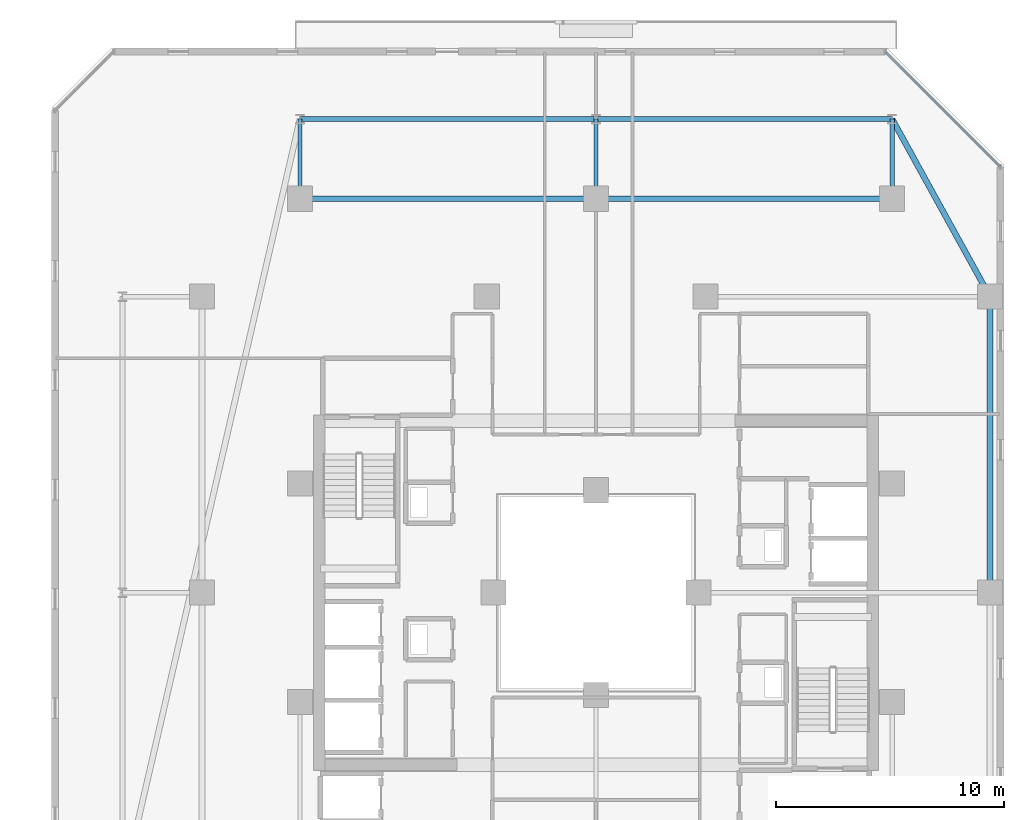
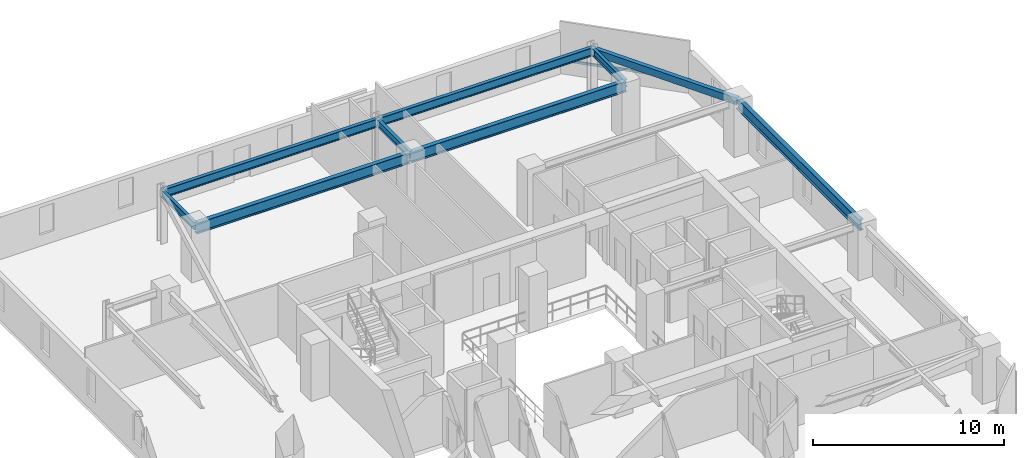
# One storey, part 16 of 33: 9 beams, 1 member, 1 element without a shape of its own.
"""IFC4 building model written with IfcOpenShell, lengths in metres."""

from ifc_helpers import new_model, si_unit, direction, frame, origin, origin_2d, place, context, subcontext, project, spatial, hollow_rectangle, i_section, extrude, material, material_profile, profile_set, type_object, element, aggregate, save


model = new_model("IFC4")

# Units and contexts
model_context = context("Model", 3, precision=1e-05, world=origin(), true_north=direction((0.0, 1.0)))
body_context = subcontext(model_context, "Body", "Model", "MODEL_VIEW")
ifc_project = project(units=[si_unit("LENGTHUNIT", "METRE"), si_unit("AREAUNIT", "SQUARE_METRE"), si_unit("VOLUMEUNIT", "CUBIC_METRE"), si_unit("PLANEANGLEUNIT", "RADIAN"), si_unit("MASSUNIT", "GRAM", prefix="KILO")], contexts=[model_context])

# Site, building, storey
site_placement = place(None, origin())
site = spatial("IfcSite", under=ifc_project, at=site_placement, CompositionType="ELEMENT")
building_placement = place(site_placement, origin())
building = spatial("IfcBuilding", under=site, at=building_placement, Name="Thornwick Lancets Civic Towers", CompositionType="ELEMENT")
storey_placement = place(building_placement, frame((0.0, 0.0, 189.300048828125)))
storey = spatial("IfcBuildingStorey", under=building, at=storey_placement, Name="L50", CompositionType="ELEMENT", Elevation=189.300048828125)

# Beams
ifc_material_1 = material(Name="Steel S355JR", Category="steel")
ifc_material_profile_1 = material_profile(ifc_material_1, i_section(OverallWidth=0.210693359375, OverallDepth=0.53955078125, WebThickness=0.01171875, FlangeThickness=0.018798828125, FilletRadius=0.0126953125, at=origin_2d()), Name="UKB 533x210x109")
ifc_profile_set_1 = profile_set([ifc_material_profile_1], Name="Steel S355JR")
beam_type_1 = type_object("IfcBeamType", Name="BM_EDGE_533_109", PredefinedType="SPANDREL", material=ifc_profile_set_1)
beam_1_placement = place(storey_placement, frame((101.5, 47.800048828125, 3.09033203125), z_axis=(-1.0, 0.0, 0.0), x_axis=(0.0, -1.0, 0.0)))
element("IfcBeam", 1, at=beam_1_placement, inside=storey, type_object=beam_type_1, Name="BM-EDGE-L50-B-S1-1", PredefinedType="SPANDREL", context=body_context, shape_type="SweptSolid", body=[
    extrude(i_section(OverallWidth=0.210693359375, OverallDepth=0.53955078125, WebThickness=0.01171875, FlangeThickness=0.018798828125, FilletRadius=0.0126953125, at=origin_2d()), origin(), (0.0, 0.0, 1.0), 13.0),
])
beam_2_placement = place(storey_placement, frame((88.419921875, 47.800048828125, 3.09033203125), z_axis=(-1.0, 0.0, 0.0), x_axis=(0.0, -1.0, 0.0)))
element("IfcBeam", 2, at=beam_2_placement, inside=storey, type_object=beam_type_1, Name="BM-EDGE-L50-B-S1-2", PredefinedType="SPANDREL", context=body_context, shape_type="SweptSolid", body=[
    extrude(i_section(OverallWidth=0.210693359375, OverallDepth=0.53955078125, WebThickness=0.01171875, FlangeThickness=0.018798828125, FilletRadius=0.0126953125, at=origin_2d()), origin(), (0.0, 0.0, 1.0), 12.919921875),
])
ifc_material_profile_2 = material_profile(ifc_material_1, i_section(OverallWidth=0.255859375, OverallDepth=0.69287109375, WebThickness=0.014404296875, FlangeThickness=0.023681640625, FilletRadius=0.01513671875, at=origin_2d()), Name="UKB 686x254x170")
ifc_profile_set_2 = profile_set([ifc_material_profile_2], Name="Steel S355JR")
beam_type_2 = type_object("IfcBeamType", Name="BM_GIRD_686_170", PredefinedType="BEAM", material=ifc_profile_set_2)
beam_3_placement = place(storey_placement, frame((105.800048828125, 27.080078125, 3.013427734375), z_axis=(0.0, 1.0, 0.0), x_axis=(-1.0, 0.0, 0.0)))
element("IfcBeam", 3, at=beam_3_placement, inside=storey, type_object=beam_type_2, Name="BM-SPINE-L50-B-1-2", PredefinedType="BEAM", context=body_context, shape_type="SweptSolid", body=[
    extrude(i_section(OverallWidth=0.255859375, OverallDepth=0.69287109375, WebThickness=0.014404296875, FlangeThickness=0.023681640625, FilletRadius=0.01513671875, at=origin_2d()), origin(), (0.0, 0.0, 1.0), 12.919921875),
])
beam_4_placement = place(storey_placement, frame((101.5, 44.300048828125, 3.013427734375), z_axis=(-1.0, 0.0, 0.0), x_axis=(0.0, -1.0, 0.0)))
element("IfcBeam", 4, at=beam_4_placement, inside=storey, type_object=beam_type_2, Name="BM-SPINE-L50-B-3-4", PredefinedType="BEAM", context=body_context, shape_type="SweptSolid", body=[
    extrude(i_section(OverallWidth=0.255859375, OverallDepth=0.69287109375, WebThickness=0.014404296875, FlangeThickness=0.023681640625, FilletRadius=0.01513671875, at=origin_2d()), origin(), (0.0, 0.0, 1.0), 13.0),
])
beam_5_placement = place(storey_placement, frame((88.419921875, 44.300048828125, 3.013427734375), z_axis=(-1.0, 0.0, 0.0), x_axis=(0.0, -1.0, 0.0)))
element("IfcBeam", 5, at=beam_5_placement, inside=storey, type_object=beam_type_2, Name="BM-SPINE-L50-B-4-5", PredefinedType="BEAM", context=body_context, shape_type="SweptSolid", body=[
    extrude(i_section(OverallWidth=0.255859375, OverallDepth=0.69287109375, WebThickness=0.014404296875, FlangeThickness=0.023681640625, FilletRadius=0.01513671875, at=origin_2d()), origin(), (0.0, 0.0, 1.0), 12.919921875),
])
ifc_material_profile_3 = material_profile(ifc_material_1, i_section(OverallWidth=0.19287109375, OverallDepth=0.46728515625, WebThickness=0.011474609375, FlangeThickness=0.01953125, FilletRadius=0.01025390625, at=origin_2d()), Name="UKB 457x191x98")
ifc_profile_set_3 = profile_set([ifc_material_profile_3], Name="Steel S355JR")
beam_type_3 = type_object("IfcBeamType", Name="BM_JOIST_457_98", PredefinedType="JOIST", material=ifc_profile_set_3)
for number, where, z_axis, x_axis, name in (
    (6, (101.5, 44.300048828125, 3.12646484375), (0.0, 1.0, 0.0), (-1.0, 0.0, 0.0), "BM-RAD-L50-B04"),
    (7, (88.5, 44.300048828125, 3.12646484375), (0.0, 1.0, 0.0), (-1.0, 0.0, 0.0), "BM-RAD-L50-B05"),
    (8, (75.5, 44.300048828125, 3.12646484375), (0.0, 1.0, 0.0), (-1.0, 0.0, 0.0), "BM-RAD-L50-B06"),
):
    element("IfcBeam", number, at=place(storey_placement, frame(where, z_axis=z_axis, x_axis=x_axis)), inside=storey, type_object=beam_type_3, Name=name, PredefinedType="JOIST", context=body_context, shape_type="SweptSolid", body=[
        extrude(i_section(OverallWidth=0.19287109375, OverallDepth=0.46728515625, WebThickness=0.011474609375, FlangeThickness=0.01953125, FilletRadius=0.01025390625, at=origin_2d()), origin(), (0.0, 0.0, 1.0), 3.5),
    ])
ifc_material_profile_4 = material_profile(ifc_material_1, hollow_rectangle(XDim=0.25, YDim=0.449951171875, WallThickness=0.01611328125, at=origin_2d()), Name="RHS 450x250x16")
ifc_profile_set_4 = profile_set([ifc_material_profile_4], Name="Steel S355JR")
beam_type_4 = type_object("IfcBeamType", Name="BM_RING_RHS450", PredefinedType="BEAM", material=ifc_profile_set_4)
beam_6_placement = place(storey_placement, frame((105.800048828125, 40.0, 3.135009765625), z_axis=(-0.482782395749, 0.875740348708, 0.0), x_axis=(-0.875740348708, -0.482782395749, 0.0)))
element("IfcBeam", 9, at=beam_6_placement, inside=storey, type_object=beam_type_4, Name="BM-CHAMF-L50-B-C0", PredefinedType="BEAM", context=body_context, shape_type="SweptSolid", body=[
    extrude(hollow_rectangle(XDim=0.25, YDim=0.449951171875, WallThickness=0.01611328125, at=origin_2d()), origin(), (0.0, 0.0, 1.0), 8.90673828125),
])

# Curtain wall, member
ifc_material_2 = material(Name="Mid-zone chamfered-corner unitised glass curtain wall", Category="glass")
curtain_wall_type = type_object("IfcCurtainWallType", Name="CW_SYS_04", PredefinedType="NOTDEFINED", material=ifc_material_2)
curtain_wall_placement = place(storey_placement, origin())
curtain_wall = element("IfcCurtainWall", 10, at=curtain_wall_placement, inside=storey, type_object=curtain_wall_type, Name="L50 Curtain Wall CW-L50-B-E3", PredefinedType="NOTDEFINED")
ifc_material_3 = material(Name="Thermally broken bronze aluminium S355", Category="steel")
ifc_material_profile_5 = material_profile(ifc_material_3, hollow_rectangle(XDim=0.074951171875, YDim=0.14990234375, WallThickness=0.0048828125, at=origin_2d()), Name="RHS 150x75x5")
ifc_profile_set_5 = profile_set([ifc_material_profile_5], Name="Thermally broken bronze aluminium S355")
member_type = type_object("IfcMemberType", Name="CW_TRN_150", PredefinedType="USERDEFINED", material=ifc_profile_set_5)
member_placement = place(storey_placement, frame((106.2421875, 45.71337890625, 0.849853515625), z_axis=(-0.707106781187, 0.707106781187, 0.0), x_axis=(-0.707106781187, -0.707106781187, 0.0)))
member = element("IfcMember", 11, at=member_placement, type_object=member_type, Name="CW-L50-B-E3 Transom 0", ObjectType="TRANSOM", PredefinedType="USERDEFINED", context=body_context, shape_type="SweptSolid", body=[
    extrude(hollow_rectangle(XDim=0.074951171875, YDim=0.14990234375, WallThickness=0.0048828125, at=origin_2d()), origin(), (0.0, 0.0, 1.0), 7.11181640625),
])
aggregate(curtain_wall, [member])

save(model, "model.ifc")
